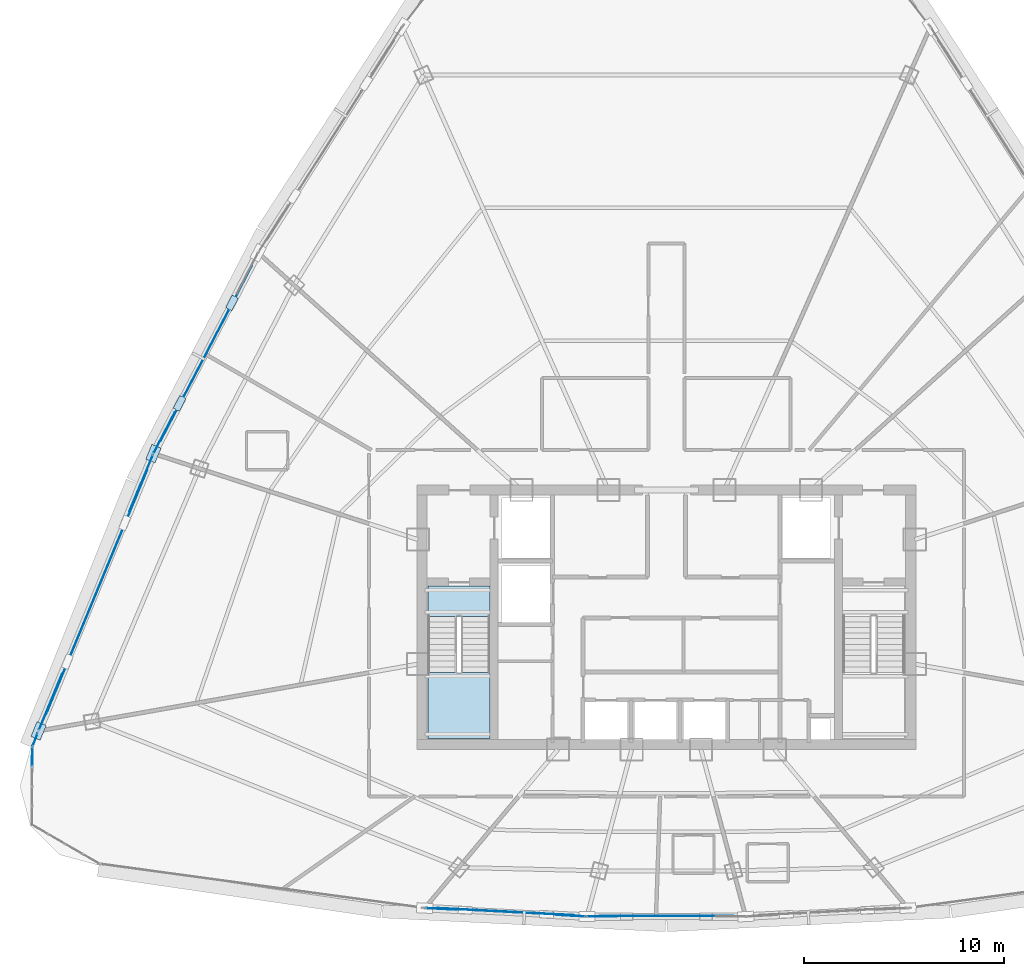
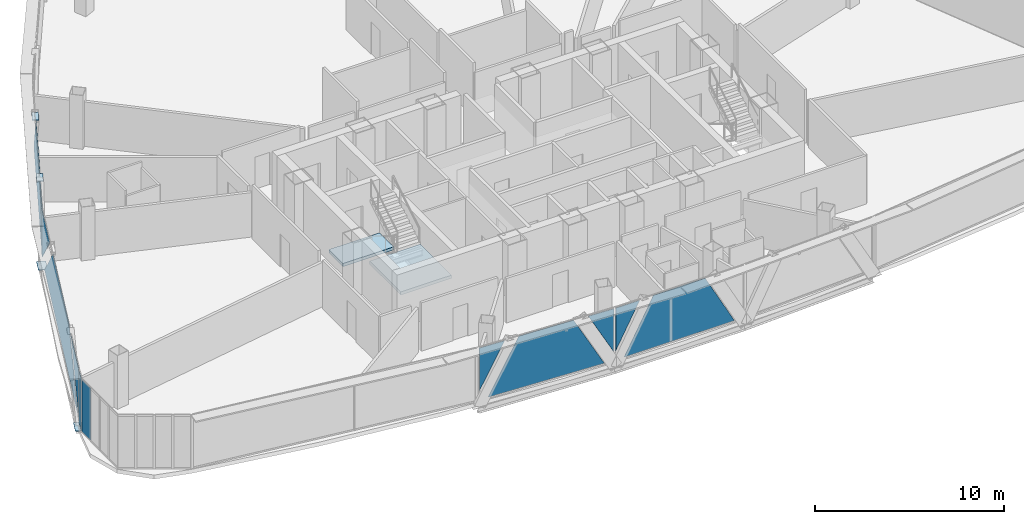
# One storey, part 30 of 40: 16 plates, 2 slabs, 7 elements without a shape of their own.
"""IFC4 building model written with IfcOpenShell, lengths in metres."""

from ifc_helpers import new_model, si_unit, direction, frame, origin, origin_2d, place, context, subcontext, project, spatial, polyline, rectangle, outline, extrude, source, transform, mapped, material, layer, layer_set, type_object, element, aggregate, save


model = new_model("IFC4")

# Units and contexts
model_context = context("Model", 3, precision=1e-05, world=origin(), true_north=direction((0.0, 1.0)))
body_context = subcontext(model_context, "Body", "Model", "MODEL_VIEW")
ifc_project = project(units=[si_unit("LENGTHUNIT", "METRE"), si_unit("AREAUNIT", "SQUARE_METRE"), si_unit("VOLUMEUNIT", "CUBIC_METRE"), si_unit("PLANEANGLEUNIT", "RADIAN"), si_unit("MASSUNIT", "GRAM", prefix="KILO"), si_unit("THERMODYNAMICTEMPERATUREUNIT", "KELVIN"), si_unit("POWERUNIT", "WATT")], contexts=[model_context])

# Site, building, storey
site_placement = place(None, origin())
site = spatial("IfcSite", under=ifc_project, at=site_placement, CompositionType="ELEMENT")
building_placement = place(site_placement, origin())
building = spatial("IfcBuilding", under=site, at=building_placement, Name="Yunzhuo Pagoda Commons", CompositionType="ELEMENT")
storey_placement = place(building_placement, frame((0.0, 0.0, 288.75)))
storey = spatial("IfcBuildingStorey", under=building, at=storey_placement, Name="L72", CompositionType="ELEMENT", Elevation=288.75)

# Curtain wall, plates
ifc_material_1 = material(Name="Anodized aluminium 6063-T6", Category="aluminium")
ifc_layer_1 = layer(ifc_material_1, 0.139892578125)
ifc_layer_set_1 = layer_set([ifc_layer_1], Name="Anodized aluminium 6063-T6")
curtain_wall_type_1 = type_object("IfcCurtainWallType", Name="CW-HI High-Zone Ribbon Curtain Wall", PredefinedType="NOTDEFINED", material=ifc_layer_set_1)
curtain_wall_1_placement = place(storey_placement, origin())
curtain_wall_1 = element("IfcCurtainWall", 1, at=curtain_wall_1_placement, inside=storey, type_object=curtain_wall_type_1, Name="L72 curtain wall CW-L72-F1B2", PredefinedType="NOTDEFINED")
ifc_material_2 = material(Name="Tempered low-e double glazing", Category="glass")
ifc_layer_2 = layer(ifc_material_2, 0.02587890625)
ifc_layer_set_2 = layer_set([ifc_layer_2], Name="Tempered low-e double glazing")
plate_type_1 = type_object("IfcPlateType", Name="CW-HI-P Low-E Double Glazing 26", PredefinedType="CURTAIN_PANEL", material=ifc_layer_set_2)
plate_1_placement = place(storey_placement, frame((36.75634765625, 19.304931640625, 2.03076171875), z_axis=(-0.052189625547, -0.998637192871, 0.0), x_axis=(0.998637192871, -0.052189625547, 0.0)))
plate_1 = element("IfcPlate", 2, at=plate_1_placement, type_object=plate_type_1, Name="CW panel 1.1 lite 1", PredefinedType="CURTAIN_PANEL", context=body_context, shape_type="SweptSolid", body=[
    extrude(outline(polyline([(-0.751708984375, -1.384033203125), (0.751708984375, 1.38427734375), (-0.751708984375, 1.38427734375), (-0.751708984375, -1.384033203125)])), origin(), (0.0, 0.0, 1.0), 0.028076171875),
])
plate_2_placement = place(storey_placement, frame((39.993408203125, 19.166015625, 1.735107421875), z_axis=(-0.052189625547, -0.998637192871, 0.0), x_axis=(0.998637192871, -0.052189625547, 0.0)))
plate_2 = element("IfcPlate", 3, at=plate_2_placement, type_object=plate_type_1, Name="CW panel 1.1 lite 2", PredefinedType="CURTAIN_PANEL", context=body_context, shape_type="SweptSolid", body=[
    extrude(outline(polyline([(-3.447998046875, -1.679931640625), (3.447998046875, -1.679931640625), (1.623291015625, 1.679931640625), (-1.623291015625, 1.679931640625), (-3.447998046875, -1.679931640625)])), origin(), (0.0, 0.0, 1.0), 0.028076171875),
])
plate_3_placement = place(storey_placement, frame((43.227294921875, 18.966796875, 2.03076171875), z_axis=(-0.052189625547, -0.998637192871, 0.0), x_axis=(0.998637192871, -0.052189625547, 0.0)))
plate_3 = element("IfcPlate", 4, at=plate_3_placement, type_object=plate_type_1, Name="CW panel 1.1 lite 3", PredefinedType="CURTAIN_PANEL", context=body_context, shape_type="SweptSolid", body=[
    extrude(outline(polyline([(-0.751708984375, 1.38427734375), (0.751708984375, -1.384033203125), (0.751708984375, 1.38427734375), (-0.751708984375, 1.38427734375)])), origin(), (0.0, 0.0, 1.0), 0.028076171875),
])
aggregate(curtain_wall_1, [plate_1, plate_2, plate_3])

curtain_wall_2_placement = place(storey_placement, origin())
curtain_wall_2 = element("IfcCurtainWall", 5, at=curtain_wall_2_placement, inside=storey, type_object=curtain_wall_type_1, Name="L72 curtain wall CW-L72-F1B3", PredefinedType="NOTDEFINED")
plate_4_placement = place(storey_placement, frame((44.828125, 18.9248046875, 2.0390625), z_axis=(0.0, -1.0, 0.0), x_axis=(1.0, 0.0, 0.0)))
plate_4 = element("IfcPlate", 6, at=plate_4_placement, type_object=plate_type_1, Name="CW panel 1.1 lite 1", PredefinedType="CURTAIN_PANEL", context=body_context, shape_type="SweptSolid", body=[
    extrude(outline(polyline([(-0.73095703125, -1.3759765625), (0.73095703125, 1.3759765625), (-0.73095703125, 1.3759765625), (-0.73095703125, -1.3759765625)])), origin(), (0.0, 0.0, 1.0), 0.028076171875),
])
plate_5_placement = place(storey_placement, frame((48.0, 18.95458984375, 1.735107421875), z_axis=(0.0, -1.0, 0.0), x_axis=(1.0, 0.0, 0.0)))
plate_5 = element("IfcPlate", 7, at=plate_5_placement, type_object=plate_type_1, Name="CW panel 1.1 lite 2", PredefinedType="CURTAIN_PANEL", context=body_context, shape_type="SweptSolid", body=[
    extrude(outline(polyline([(-3.365234375, -1.679931640625), (3.365234375, -1.679931640625), (1.580322265625, 1.679931640625), (-1.580322265625, 1.679931640625), (-3.365234375, -1.679931640625)])), origin(), (0.0, 0.0, 1.0), 0.028076171875),
])
aggregate(curtain_wall_2, [plate_4, plate_5])

curtain_wall_3_placement = place(storey_placement, origin())
curtain_wall_3 = element("IfcCurtainWall", 8, at=curtain_wall_3_placement, inside=storey, type_object=curtain_wall_type_1, Name="L72 curtain wall CW-L72-F3B3", PredefinedType="NOTDEFINED")
plate_6_placement = place(storey_placement, frame((25.05322265625, 47.01025390625, 1.735107421875), z_axis=(-0.886761092291, 0.462228044582, 0.0), x_axis=(-0.462228044582, -0.886761092291, 0.0)))
plate_6 = element("IfcPlate", 9, at=plate_6_placement, type_object=plate_type_1, Name="CW panel 1.1 lite 2", PredefinedType="CURTAIN_PANEL", context=body_context, shape_type="SweptSolid", body=[
    extrude(outline(polyline([(-4.937744140625, -1.679931640625), (4.937744140625, -1.679931640625), (2.3916015625, 1.679931640625), (-2.3916015625, 1.679931640625), (-4.937744140625, -1.679931640625)])), origin(), (0.0, 0.0, 1.0), 0.028076171875),
])
plate_7_placement = place(storey_placement, frame((22.960693359375, 43.060791015625, 1.931640625), z_axis=(-0.886761092291, 0.462228044582, 0.0), x_axis=(-0.462228044582, -0.886761092291, 0.0)))
plate_7 = element("IfcPlate", 10, at=plate_7_placement, type_object=plate_type_1, Name="CW panel 1.1 lite 3", PredefinedType="CURTAIN_PANEL", context=body_context, shape_type="SweptSolid", body=[
    extrude(outline(polyline([(-1.1240234375, 1.4833984375), (1.1240234375, -1.4833984375), (1.1240234375, 1.4833984375), (-1.1240234375, 1.4833984375)])), origin(), (0.0, 0.0, 1.0), 0.028076171875),
])
aggregate(curtain_wall_3, [plate_6, plate_7])

curtain_wall_4_placement = place(storey_placement, origin())
curtain_wall_4 = element("IfcCurtainWall", 11, at=curtain_wall_4_placement, inside=storey, type_object=curtain_wall_type_1, Name="L72 curtain wall CW-L72-F3B4", PredefinedType="NOTDEFINED")
plate_8_placement = place(storey_placement, frame((21.799560546875, 40.528564453125, 1.87548828125), z_axis=(-0.923899046183, 0.382636318796, 0.0), x_axis=(-0.382636318796, -0.923899046183, 0.0)))
plate_8 = element("IfcPlate", 12, at=plate_8_placement, type_object=plate_type_1, Name="CW panel 1.1 lite 1", PredefinedType="CURTAIN_PANEL", context=body_context, shape_type="SweptSolid", body=[
    extrude(outline(polyline([(-1.5458984375, -1.53955078125), (1.5458984375, 1.53955078125), (-1.5458984375, 1.53955078125), (-1.5458984375, -1.53955078125)])), origin(), (0.0, 0.0, 1.0), 0.028076171875),
])
plate_9_placement = place(storey_placement, frame((19.5751953125, 35.079833984375, 1.735107421875), z_axis=(-0.923899046183, 0.382636318796, 0.0), x_axis=(-0.382636318796, -0.923899046183, 0.0)))
plate_9 = element("IfcPlate", 13, at=plate_9_placement, type_object=plate_type_1, Name="CW panel 1.1 lite 2", PredefinedType="CURTAIN_PANEL", context=body_context, shape_type="SweptSolid", body=[
    extrude(outline(polyline([(-6.636474609375, -1.679931640625), (6.636474609375, -1.679931640625), (3.26220703125, 1.679931640625), (-3.26220703125, 1.679931640625), (-6.636474609375, -1.679931640625)])), origin(), (0.0, 0.0, 1.0), 0.028076171875),
])
plate_10_placement = place(storey_placement, frame((17.295654296875, 29.65380859375, 1.87548828125), z_axis=(-0.923899046183, 0.382636318796, 0.0), x_axis=(-0.382636318796, -0.923899046183, 0.0)))
plate_10 = element("IfcPlate", 14, at=plate_10_placement, type_object=plate_type_1, Name="CW panel 1.1 lite 3", PredefinedType="CURTAIN_PANEL", context=body_context, shape_type="SweptSolid", body=[
    extrude(outline(polyline([(-1.5458984375, 1.53955078125), (1.5458984375, -1.53955078125), (1.5458984375, 1.53955078125), (-1.5458984375, 1.53955078125)])), origin(), (0.0, 0.0, 1.0), 0.028076171875),
])
aggregate(curtain_wall_4, [plate_8, plate_9, plate_10])

# Stair, slabs
ifc_material_3 = material(Name="Concrete C40", Category="concrete")
stair_type = type_object("IfcStairType", Name="ST-C1 Core Smokeproof Stair ST1", PredefinedType="HALF_TURN_STAIR", material=ifc_material_3)
stair_placement = place(storey_placement, origin())
stair = element("IfcStair", 15, at=stair_placement, inside=storey, type_object=stair_type, Name="L72 Core smokeproof stair ST1", PredefinedType="HALF_TURN_STAIR")
ifc_layer_3 = layer(ifc_material_3, 0.199951171875)
ifc_layer_set_3 = layer_set([ifc_layer_3], Name="Concrete C40")
slab_type = type_object("IfcSlabType", Name="SL-LND1 Stair Landing Slab 200", PredefinedType="LANDING", material=ifc_layer_set_3)
slab_1_placement = place(storey_placement, frame((0.0, 0.0, 1.6650390625)))
slab_1 = element("IfcSlab", 16, at=slab_1_placement, type_object=slab_type, Name="ST1 landing 1", PredefinedType="LANDING", context=body_context, shape_type="SweptSolid", body=[
    extrude(outline(polyline([(36.10009765625, 31.10009765625), (36.10009765625, 27.800048828125), (39.199951171875, 27.800048828125), (39.199951171875, 31.10009765625), (36.10009765625, 31.10009765625)])), origin(), (0.0, 0.0, 1.0), 0.199951171875),
])
slab_2_placement = place(storey_placement, frame((0.0, 0.0, -0.199951171875)))
slab_2 = element("IfcSlab", 17, at=slab_2_placement, type_object=slab_type, Name="ST1 floor landing L72", PredefinedType="LANDING", context=body_context, shape_type="SweptSolid", body=[
    extrude(outline(polyline([(36.10009765625, 35.39990234375), (36.10009765625, 33.89990234375), (39.199951171875, 33.89990234375), (39.199951171875, 35.39990234375), (36.10009765625, 35.39990234375)])), origin(), (0.0, 0.0, 1.0), 0.199951171875),
])
aggregate(stair, [slab_1, slab_2])

# Plates
ifc_material_4 = material(Name="Structural steel Q355B", Category="steel")
ifc_layer_4 = layer(ifc_material_4, 0.028076171875)
ifc_layer_set_4 = layer_set([ifc_layer_4], Name="Structural steel Q355B")
plate_type_2 = type_object("IfcPlateType", Name="SP-ND1 Lattice Node Cap Plate 800x500x28", PredefinedType="USERDEFINED", material=ifc_layer_set_4)
shared_shape_1 = source(origin(), body_context, "Body", "SweptSolid", [
    extrude(rectangle(XDim=0.800048828125, YDim=0.5, at=origin_2d()), origin(), (0.0, 0.0, 1.0), 0.028076171875),
])
for number, where, z_axis, x_axis, name in (
    (18, (22.40087890625, 42.017578125, -0.27392578125), (0.0, 0.0, 1.0), (-0.382635057621, -0.923899568503, 0.0), "L72 diamond node plate F3.3A"),
    (19, (16.668212890625, 28.17529296875, -0.27392578125), (0.0, 0.0, 1.0), (-0.382635057621, -0.923899568503, 0.0), "L72 diamond node plate F3.3B"),
):
    element("IfcPlate", number, at=place(storey_placement, frame(where, z_axis=z_axis, x_axis=x_axis)), inside=storey, type_object=plate_type_2, Name=name, ObjectType="STIFFENER_PLATE", PredefinedType="USERDEFINED", context=body_context, shape_type="MappedRepresentation", body=[
        mapped(shared_shape_1, transform((0.0, 0.0, 0.0), scale=1.0)),
    ])
shared_shape_2 = source(origin(), body_context, "Body", "SweptSolid", [
    extrude(rectangle(XDim=0.699951171875, YDim=0.35009765625, at=origin_2d()), origin(), (0.0, 0.0, 1.0), 0.035888671875),
])
for number, where, z_axis, x_axis, name in (
    (20, (26.32080078125, 49.537353515625, 3.43212890625), (0.0, 0.0, 1.0), (-0.462228464672, -0.886760873318, 0.0), "L72 setback lattice tie plate F3.2L"),
    (21, (23.70751953125, 44.524169921875, 3.43212890625), (0.0, 0.0, 1.0), (-0.462228464672, -0.886760873318, 0.0), "L72 setback lattice tie plate F3.2R"),
):
    element("IfcPlate", number, at=place(storey_placement, frame(where, z_axis=z_axis, x_axis=x_axis)), inside=storey, type_object=plate_type_2, Name=name, ObjectType="STIFFENER_PLATE", PredefinedType="USERDEFINED", context=body_context, shape_type="MappedRepresentation", body=[
        mapped(shared_shape_2, transform((0.0, 0.0, 0.0), scale=1.0)),
    ])

# Curtain wall, plate
curtain_wall_5_placement = place(storey_placement, origin())
curtain_wall_5 = element("IfcCurtainWall", 22, at=curtain_wall_5_placement, inside=storey, type_object=curtain_wall_type_1, Name="L72 curtain wall CW-L72-F3B5", PredefinedType="NOTDEFINED")
shared_shape_3 = source(origin(), body_context, "Body", "SweptSolid", [
    extrude(rectangle(XDim=0.6689453125, YDim=0.028076171875, at=origin_2d()), origin(), (0.0, 0.0, 1.0), 3.360107421875),
])
plate_11_placement = place(storey_placement, frame((16.498046875, 27.73779296875, 0.05517578125), z_axis=(0.0, 0.0, 1.0), x_axis=(-0.36265423017, -0.931923767987, 0.0)))
plate_11 = element("IfcPlate", 23, at=plate_11_placement, type_object=plate_type_1, Name="CW panel 1.1", PredefinedType="CURTAIN_PANEL", context=body_context, shape_type="MappedRepresentation", body=[
    mapped(shared_shape_3, transform((0.0, 0.0, 0.0), scale=1.0)),
])
aggregate(curtain_wall_5, [plate_11])

ifc_layer_5 = layer(ifc_material_1, 0.1298828125)
ifc_layer_set_5 = layer_set([ifc_layer_5], Name="Anodized aluminium 6063-T6")
curtain_wall_type_2 = type_object("IfcCurtainWallType", Name="CW-VTX Rounded Corner Curtain Wall", PredefinedType="NOTDEFINED", material=ifc_layer_set_5)
curtain_wall_6_placement = place(storey_placement, origin())
curtain_wall_6 = element("IfcCurtainWall", 24, at=curtain_wall_6_placement, inside=storey, type_object=curtain_wall_type_2, Name="L72 curtain wall CW-L72-VTX1S1", PredefinedType="NOTDEFINED")
ifc_layer_6 = layer(ifc_material_2, 0.02587890625)
ifc_layer_set_6 = layer_set([ifc_layer_6], Name="Tempered low-e double glazing")
plate_type_3 = type_object("IfcPlateType", Name="CW-VTX-P Low-E Double Glazing 26", PredefinedType="CURTAIN_PANEL", material=ifc_layer_set_6)
shared_shape_4 = source(origin(), body_context, "Body", "SweptSolid", [
    extrude(rectangle(XDim=0.8994140625, YDim=0.028076171875, at=origin_2d()), origin(), (0.0, 0.0, 1.0), 3.360107421875),
])
plate_12_placement = place(storey_placement, frame((16.35302734375, 26.865478515625, 0.05517578125), z_axis=(0.0, 0.0, 1.0), x_axis=(-0.003589955472, -0.999993556089, 0.0)))
plate_12 = element("IfcPlate", 25, at=plate_12_placement, type_object=plate_type_3, Name="CW panel 1.1", PredefinedType="CURTAIN_PANEL", context=body_context, shape_type="MappedRepresentation", body=[
    mapped(shared_shape_4, transform((0.0, 0.0, 0.0), scale=1.0)),
])
aggregate(curtain_wall_6, [plate_12])

save(model, "model.ifc")
